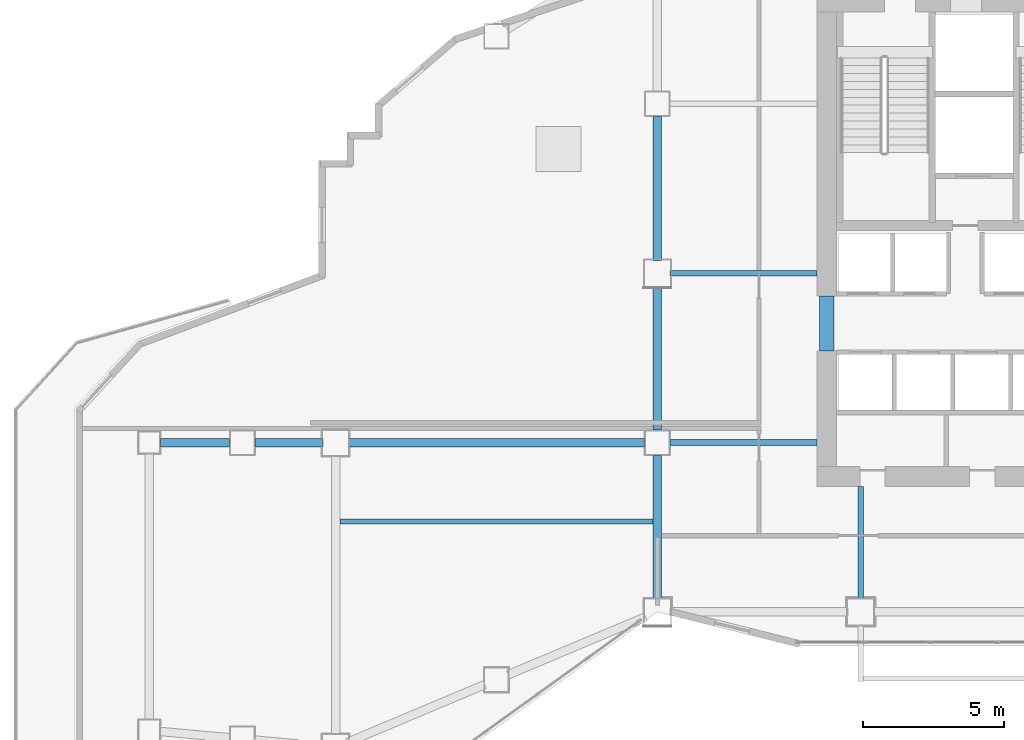
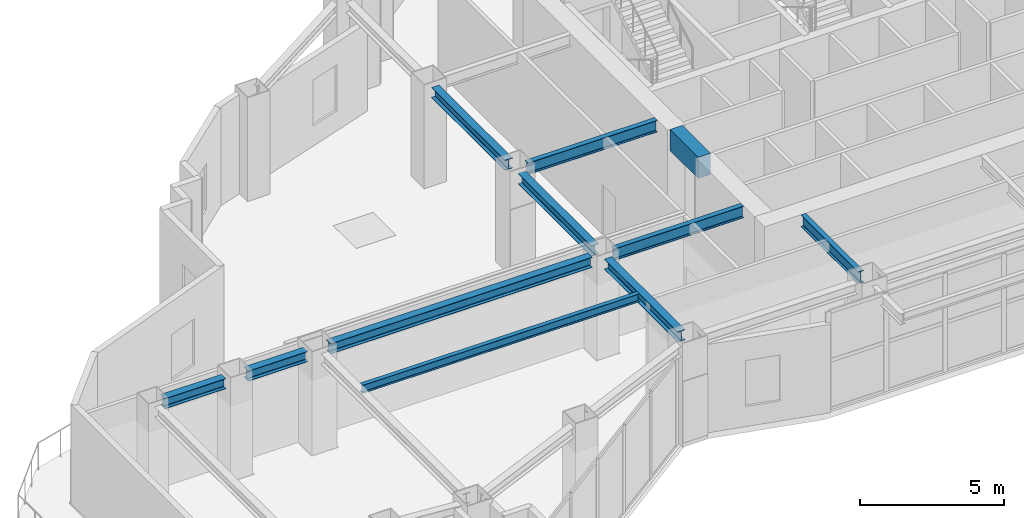
# One storey, part 5 of 19: 11 beams.
"""IFC4 building model written with IfcOpenShell, lengths in metres."""

from ifc_helpers import new_model, si_unit, direction, frame, origin, origin_2d, place, context, subcontext, project, spatial, rectangle, i_section, extrude, material, material_profile, profile_set, type_object, element, save


model = new_model("IFC4")

# Units and contexts
model_context = context("Model", 3, precision=1e-05, world=origin(), true_north=direction((0.0, 1.0)))
body_context = subcontext(model_context, "Body", "Model", "MODEL_VIEW")
ifc_project = project(units=[si_unit("LENGTHUNIT", "METRE"), si_unit("AREAUNIT", "SQUARE_METRE"), si_unit("VOLUMEUNIT", "CUBIC_METRE"), si_unit("PLANEANGLEUNIT", "RADIAN"), si_unit("MASSUNIT", "GRAM", prefix="KILO")], contexts=[model_context])

# Site, building, storey
site_placement = place(None, origin())
site = spatial("IfcSite", under=ifc_project, at=site_placement, CompositionType="ELEMENT")
building_placement = place(site_placement, origin())
building = spatial("IfcBuilding", under=site, at=building_placement, Name="Haolan Belvedere Tower", CompositionType="ELEMENT")
storey_placement = place(building_placement, frame((0.0, 0.0, 94.0)))
storey = spatial("IfcBuildingStorey", under=building, at=storey_placement, Name="L23", CompositionType="ELEMENT", Elevation=94.0)

# Beams
ifc_material_1 = material(Name="Steel Q355B", Category="steel")
ifc_material_profile_1 = material_profile(ifc_material_1, i_section(OverallWidth=0.300048828125, OverallDepth=0.43994140625, WebThickness=0.010986328125, FlangeThickness=0.01806640625, FilletRadius=0.02392578125, at=origin_2d()), Name="Steel Q355B")
ifc_profile_set_1 = profile_set([ifc_material_profile_1], Name="Steel Q355B")
beam_type_1 = type_object("IfcBeamType", Name="BM-HM440x300x11x18", PredefinedType="SPANDREL", material=ifc_profile_set_1)
for number, where, z_axis, x_axis, name in (
    (1, (24.0, 22.050048828125, 3.97998046875), (0.0, 1.0, 0.0), (-1.0, 0.0, 0.0), "L23 spandrel girder MC-T3-SW-TC-T3-W1"),
    (2, (24.0, 28.050048828125, 3.97998046875), (0.0, 1.0, 0.0), (-1.0, 0.0, 0.0), "L23 spandrel girder TC-T3-W1-MC-T3-MW"),
    (3, (24.0, 34.050048828125, 3.97998046875), (0.0, 1.0, 0.0), (-1.0, 0.0, 0.0), "L23 spandrel girder MC-T3-MW-TC-T3-W2"),
):
    element("IfcBeam", number, at=place(storey_placement, frame(where, z_axis=z_axis, x_axis=x_axis)), inside=storey, type_object=beam_type_1, Name=name, PredefinedType="SPANDREL", context=body_context, shape_type="SweptSolid", body=[
        extrude(i_section(OverallWidth=0.300048828125, OverallDepth=0.43994140625, WebThickness=0.010986328125, FlangeThickness=0.01806640625, FilletRadius=0.02392578125, at=origin_2d()), origin(), (0.0, 0.0, 1.0), 5.099853515625),
    ])
beam_1_placement = place(storey_placement, frame((13.050048828125, 27.60009765625, 3.97998046875), z_axis=(1.0, 0.0, 0.0), x_axis=(0.0, 1.0, 0.0)))
element("IfcBeam", 4, at=beam_1_placement, inside=storey, type_object=beam_type_1, Name="L23 spandrel girder MC-T2-MW-TC-T3-W1", PredefinedType="SPANDREL", context=body_context, shape_type="SweptSolid", body=[
    extrude(i_section(OverallWidth=0.300048828125, OverallDepth=0.43994140625, WebThickness=0.010986328125, FlangeThickness=0.01806640625, FilletRadius=0.02392578125, at=origin_2d()), origin(), (0.0, 0.0, 1.0), 10.5),
])
beam_2_placement = place(storey_placement, frame((6.39990234375, 27.60009765625, 3.97998046875), z_axis=(1.0, 0.0, 0.0), x_axis=(0.0, 1.0, 0.0)))
element("IfcBeam", 5, at=beam_2_placement, inside=storey, type_object=beam_type_1, Name="L23 spandrel girder MC-T1-NW-TC-T1-M2", PredefinedType="SPANDREL", context=body_context, shape_type="SweptSolid", body=[
    extrude(i_section(OverallWidth=0.300048828125, OverallDepth=0.43994140625, WebThickness=0.010986328125, FlangeThickness=0.01806640625, FilletRadius=0.02392578125, at=origin_2d()), origin(), (0.0, 0.0, 1.0), 2.4501953125),
])
beam_3_placement = place(storey_placement, frame((9.75, 27.60009765625, 3.97998046875), z_axis=(1.0, 0.0, 0.0), x_axis=(0.0, 1.0, 0.0)))
element("IfcBeam", 6, at=beam_3_placement, inside=storey, type_object=beam_type_1, Name="L23 spandrel girder TC-T1-M2-MC-T2-MW", PredefinedType="SPANDREL", context=body_context, shape_type="SweptSolid", body=[
    extrude(i_section(OverallWidth=0.300048828125, OverallDepth=0.43994140625, WebThickness=0.010986328125, FlangeThickness=0.01806640625, FilletRadius=0.02392578125, at=origin_2d()), origin(), (0.0, 0.0, 1.0), 2.39990234375),
])
ifc_material_profile_2 = material_profile(ifc_material_1, i_section(OverallWidth=0.175048828125, OverallDepth=0.35009765625, WebThickness=0.007080078125, FlangeThickness=0.010986328125, FilletRadius=0.012939453125, at=origin_2d()), Name="Steel Q355B")
ifc_profile_set_2 = profile_set([ifc_material_profile_2], Name="Steel Q355B")
beam_type_2 = type_object("IfcBeamType", Name="BM-HN350x175x7x11", PredefinedType="JOIST", material=ifc_profile_set_2)
beam_4_placement = place(storey_placement, frame((12.75, 24.800048828125, 4.02490234375), z_axis=(1.0, 0.0, 0.0), x_axis=(0.0, 1.0, 0.0)))
element("IfcBeam", 7, at=beam_4_placement, inside=storey, type_object=beam_type_2, Name="L23 west wing floor joist 1", PredefinedType="JOIST", context=body_context, shape_type="SweptSolid", body=[
    extrude(i_section(OverallWidth=0.175048828125, OverallDepth=0.35009765625, WebThickness=0.007080078125, FlangeThickness=0.010986328125, FilletRadius=0.012939453125, at=origin_2d()), origin(), (0.0, 0.0, 1.0), 11.10009765625),
])
ifc_material_profile_3 = material_profile(ifc_material_1, i_section(OverallWidth=0.199951171875, OverallDepth=0.5, WebThickness=0.010009765625, FlangeThickness=0.01611328125, FilletRadius=0.02001953125, at=origin_2d()), Name="Steel Q355B")
ifc_profile_set_3 = profile_set([ifc_material_profile_3], Name="Steel Q355B")
beam_type_3 = type_object("IfcBeamType", Name="BM-HN500x200x10x16", PredefinedType="BEAM", material=ifc_profile_set_3)
for number, where, z_axis, x_axis, name in (
    (8, (24.449951171875, 33.60009765625, 3.949951171875), (1.0, 0.0, 0.0), (0.0, 1.0, 0.0), "L23 core tie beam from MC-T3-MW"),
    (9, (24.449951171875, 27.60009765625, 3.949951171875), (1.0, 0.0, 0.0), (0.0, 1.0, 0.0), "L23 core tie beam from TC-T3-W1"),
):
    element("IfcBeam", number, at=place(storey_placement, frame(where, z_axis=z_axis, x_axis=x_axis)), inside=storey, type_object=beam_type_3, Name=name, PredefinedType="BEAM", context=body_context, shape_type="SweptSolid", body=[
        extrude(i_section(OverallWidth=0.199951171875, OverallDepth=0.5, WebThickness=0.010009765625, FlangeThickness=0.01611328125, FilletRadius=0.02001953125, at=origin_2d()), origin(), (0.0, 0.0, 1.0), 5.199951171875),
    ])
beam_5_placement = place(storey_placement, frame((31.199951171875, 22.050048828125, 3.949951171875), z_axis=(0.0, 1.0, 0.0), x_axis=(-1.0, 0.0, 0.0)))
element("IfcBeam", 10, at=beam_5_placement, inside=storey, type_object=beam_type_3, Name="L23 core tie beam from MC-T3-S1", PredefinedType="BEAM", context=body_context, shape_type="SweptSolid", body=[
    extrude(i_section(OverallWidth=0.199951171875, OverallDepth=0.5, WebThickness=0.010009765625, FlangeThickness=0.01611328125, FilletRadius=0.02001953125, at=origin_2d()), origin(), (0.0, 0.0, 1.0), 4.0),
])
ifc_material_2 = material(Name="Concrete C60/75", Category="concrete")
ifc_material_profile_4 = material_profile(ifc_material_2, rectangle(XDim=0.5, YDim=0.89990234375, at=origin_2d()), Name="Concrete C60/75")
ifc_profile_set_4 = profile_set([ifc_material_profile_4], Name="Concrete C60/75")
beam_type_4 = type_object("IfcBeamType", Name="BM-RC500x900", PredefinedType="LINTEL", material=ifc_profile_set_4)
beam_6_placement = place(storey_placement, frame((30.0, 30.85009765625, 3.75), z_axis=(0.0, 1.0, 0.0), x_axis=(-1.0, 0.0, 0.0)))
element("IfcBeam", 11, at=beam_6_placement, inside=storey, type_object=beam_type_4, Name="L23 west core coupling beam CB-01", PredefinedType="LINTEL", context=body_context, shape_type="SweptSolid", body=[
    extrude(rectangle(XDim=0.5, YDim=0.89990234375, at=origin_2d()), origin(), (0.0, 0.0, 1.0), 1.949951171875),
])

save(model, "model.ifc")
